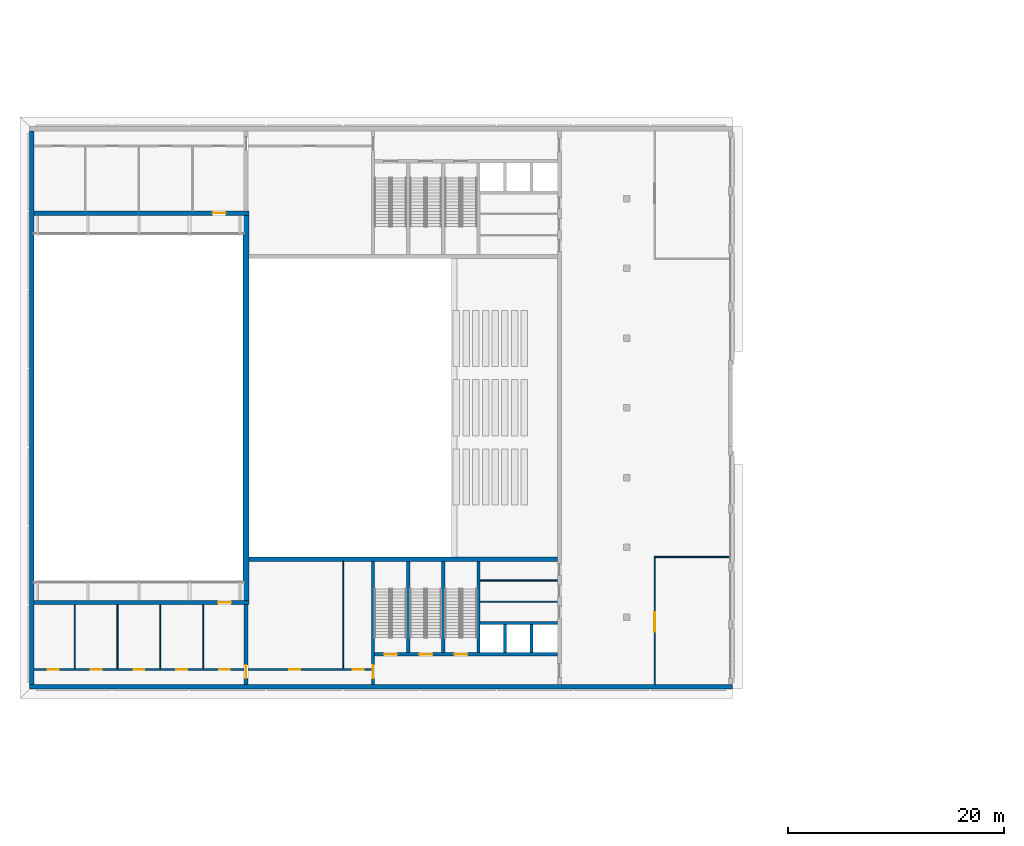
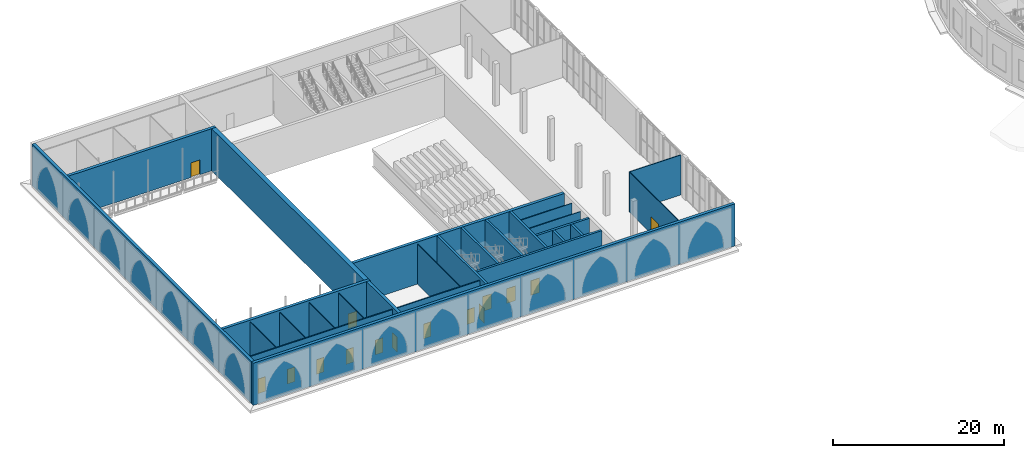
# One storey, part 17 of 74: 26 walls, 15 doors, 15 openings.
"""IFC4 building model written with IfcOpenShell, lengths in metres."""

from ifc_helpers import new_model, si_unit, direction, frame, frame_2d, origin, place, context, subcontext, project, spatial, rectangle, extrude, material, layer, layer_set, type_object, element, fill, save


model = new_model("IFC4")

# Units and contexts
model_context = context("Model", 3, precision=1e-05, world=origin(), true_north=direction((0.0, 1.0)))
body_context = subcontext(model_context, "Body", "Model", "MODEL_VIEW")
ifc_project = project(units=[si_unit("LENGTHUNIT", "METRE"), si_unit("AREAUNIT", "SQUARE_METRE"), si_unit("VOLUMEUNIT", "CUBIC_METRE"), si_unit("PLANEANGLEUNIT", "RADIAN"), si_unit("MASSUNIT", "GRAM", prefix="KILO")], contexts=[model_context])

# Site, building, storey
site_placement = place(None, origin())
site = spatial("IfcSite", under=ifc_project, at=site_placement, CompositionType="ELEMENT")
building_placement = place(site_placement, origin())
building = spatial("IfcBuilding", under=site, at=building_placement, Name="Noorbagh Ring Tower", CompositionType="ELEMENT")
storey_placement = place(building_placement, frame((0.0, 0.0, 7.5)))
storey = spatial("IfcBuildingStorey", under=building, at=storey_placement, Name="L01", CompositionType="ELEMENT", Elevation=7.5)

# Walls
ifc_material_1 = material(Name="Gypsum board on steel studs", Category="steel")
ifc_layer_1 = layer(ifc_material_1, 0.10009765625)
ifc_layer_set_1 = layer_set([ifc_layer_1], Name="Gypsum board on steel studs")
wall_type_1 = type_object("IfcWallType", Name="TH-PART-100", PredefinedType="PARTITIONING", material=ifc_layer_set_1)
for number, where, z_axis, x_axis, name in (
    (1, (-118.35009765625, -12.93310546875, 0.0), (0.0, 0.0, 1.0), (1.0, 0.0, 0.0), "L01/th-wall/048"),
    (2, (-118.35009765625, -10.967041015625, 0.0), (0.0, 0.0, 1.0), (1.0, 0.0, 0.0), "L01/th-wall/049"),
):
    element("IfcWall", number, at=place(storey_placement, frame(where, z_axis=z_axis, x_axis=x_axis)), inside=storey, type_object=wall_type_1, Name=name, PredefinedType="PARTITIONING", context=body_context, shape_type="SweptSolid", body=[
        extrude(rectangle(XDim=7.150146484375, YDim=0.10009765625, at=frame_2d((3.5751953125, 0.0))), origin(), (0.0, 0.0, 1.0), 5.699951171875),
    ])
wall_1_placement = place(storey_placement, frame((-102.25, -8.800048828125, 0.0), z_axis=(0.0, 0.0, 1.0), x_axis=(1.0, 0.0, 0.0)))
element("IfcWall", 3, at=wall_1_placement, inside=storey, type_object=wall_type_1, Name="L01/th-wall/050", PredefinedType="PARTITIONING", context=body_context, shape_type="SweptSolid", body=[
    extrude(rectangle(XDim=6.949951171875, YDim=0.10009765625, at=frame_2d((3.47509765625, 0.0))), origin(), (0.0, 0.0, 1.0), 5.699951171875),
])
for number, where, z_axis, x_axis, name in (
    (4, (-155.840087890625, -19.125, 0.0), (0.0, 0.0, 1.0), (0.0, 1.0, 0.0), "L01/th-wall/056"),
    (5, (-151.8798828125, -19.125, 0.0), (0.0, 0.0, 1.0), (0.0, 1.0, 0.0), "L01/th-wall/058"),
    (6, (-147.919921875, -19.125, 0.0), (0.0, 0.0, 1.0), (0.0, 1.0, 0.0), "L01/th-wall/060"),
    (7, (-143.9599609375, -19.125, 0.0), (0.0, 0.0, 1.0), (0.0, 1.0, 0.0), "L01/th-wall/062"),
):
    element("IfcWall", number, at=place(storey_placement, frame(where, z_axis=z_axis, x_axis=x_axis)), inside=storey, type_object=wall_type_1, Name=name, PredefinedType="PARTITIONING", context=body_context, shape_type="SweptSolid", body=[
        extrude(rectangle(XDim=5.925048828125, YDim=0.10009765625, at=frame_2d((2.96240234375, 0.0))), origin(), (0.0, 0.0, 1.0), 5.699951171875),
    ])
wall_2_placement = place(storey_placement, frame((-131.0, -19.125, 0.0), z_axis=(0.0, 0.0, 1.0), x_axis=(0.0, 1.0, 0.0)))
element("IfcWall", 8, at=wall_2_placement, inside=storey, type_object=wall_type_1, Name="L01/th-wall/063", PredefinedType="PARTITIONING", context=body_context, shape_type="SweptSolid", body=[
    extrude(rectangle(XDim=9.925048828125, YDim=0.10009765625, at=frame_2d((4.96240234375, 0.0))), origin(), (0.0, 0.0, 1.0), 5.699951171875),
])

# Wall, opening, door
wall_3_placement = place(storey_placement, frame((-102.199951171875, -20.60009765625, 0.0), z_axis=(0.0, 0.0, 1.0), x_axis=(0.0, 1.0, 0.0)))
wall_3 = element("IfcWall", 9, at=wall_3_placement, inside=storey, type_object=wall_type_1, Name="L01/th-wall/064", PredefinedType="PARTITIONING", context=body_context, shape_type="SweptSolid", body=[
    extrude(rectangle(XDim=11.75, YDim=0.10009765625, at=frame_2d((5.875, 0.0))), origin(), (0.0, 0.0, 1.0), 5.699951171875),
])
opening_1_placement = place(wall_3_placement, frame((4.89990234375, 0.0, 0.0)))
opening_1 = element("IfcOpeningElement", 10, at=opening_1_placement, cuts=wall_3, Name="Opening TL01-D25", PredefinedType="OPENING", context=body_context, shape_type="SweptSolid", body=[
    extrude(rectangle(XDim=1.800048828125, YDim=2.39990234375, at=frame_2d((0.89990234375, 1.199951171875))), frame((0.0, 0.06005859375, 0.0), z_axis=(0.0, -1.0, 0.0), x_axis=(1.0, 0.0, 0.0)), (0.0, 0.0, 1.0), 0.1201171875),
])
ifc_material_2 = material(Name="Timber", Category="wood")
door_type_1 = type_object("IfcDoorType", Name="TH-DOOR-DBL-1800", OperationType="DOUBLE_DOOR_SINGLE_SWING", PredefinedType="DOOR", material=ifc_material_2)
door_1_placement = place(opening_1_placement, origin())
door_1 = element("IfcDoor", 11, at=door_1_placement, inside=storey, type_object=door_type_1, Name="Door Circle foyer to Patrons lounge TL01-D25", OperationType="DOUBLE_DOOR_SINGLE_SWING", OverallHeight=2.39990234375, OverallWidth=1.800048828125, PredefinedType="DOOR", context=body_context, shape_type="SweptSolid", body=[
    extrude(rectangle(XDim=1.800048828125, YDim=2.39990234375, at=frame_2d((0.89990234375, 1.199951171875))), frame((0.0, 0.02490234375, 0.0), z_axis=(0.0, -1.0, 0.0), x_axis=(1.0, 0.0, 0.0)), (0.0, 0.0, 1.0), 0.050048828125),
])
fill(opening_1, door_1)

# Wall, openings, doors
ifc_material_3 = material(Name="Gypsum board on steel studs", Category="steel")
ifc_layer_2 = layer(ifc_material_3, 0.14990234375)
ifc_layer_set_2 = layer_set([ifc_layer_2], Name="Gypsum board on steel studs")
wall_type_2 = type_object("IfcWallType", Name="TH-PART-150", PredefinedType="PARTITIONING", material=ifc_layer_set_2)
wall_4_placement = place(storey_placement, frame((-159.60009765625, -19.199951171875, 0.0), z_axis=(0.0, 0.0, 1.0), x_axis=(1.0, 0.0, 0.0)))
wall_4 = element("IfcWall", 12, at=wall_4_placement, inside=storey, type_object=wall_type_2, Name="L01/th-wall/046", PredefinedType="PARTITIONING", context=body_context, shape_type="SweptSolid", body=[
    extrude(rectangle(XDim=19.400146484375, YDim=0.14990234375, at=frame_2d((9.7001953125, 0.0))), origin(), (0.0, 0.0, 1.0), 5.699951171875),
])
opening_2_placement = place(wall_4_placement, frame((1.280029296875, 0.0, 0.0)))
opening_2 = element("IfcOpeningElement", 13, at=opening_2_placement, cuts=wall_4, Name="Opening TL01-D01", PredefinedType="OPENING", context=body_context, shape_type="SweptSolid", body=[
    extrude(rectangle(XDim=1.0, YDim=2.10009765625, at=frame_2d((0.5, 1.050048828125))), frame((0.0, 0.0849609375, 0.0), z_axis=(0.0, -1.0, 0.0), x_axis=(1.0, 0.0, 0.0)), (0.0, 0.0, 1.0), 0.169921875),
])
opening_3_placement = place(wall_4_placement, frame((5.239990234375, 0.0, 0.0)))
opening_3 = element("IfcOpeningElement", 14, at=opening_3_placement, cuts=wall_4, Name="Opening TL01-D02", PredefinedType="OPENING", context=body_context, shape_type="SweptSolid", body=[
    extrude(rectangle(XDim=1.0, YDim=2.10009765625, at=frame_2d((0.5, 1.050048828125))), frame((0.0, 0.0849609375, 0.0), z_axis=(0.0, -1.0, 0.0), x_axis=(1.0, 0.0, 0.0)), (0.0, 0.0, 1.0), 0.169921875),
])
opening_4_placement = place(wall_4_placement, frame((9.199951171875, 0.0, 0.0)))
opening_4 = element("IfcOpeningElement", 15, at=opening_4_placement, cuts=wall_4, Name="Opening TL01-D03", PredefinedType="OPENING", context=body_context, shape_type="SweptSolid", body=[
    extrude(rectangle(XDim=1.0, YDim=2.10009765625, at=frame_2d((0.5, 1.050048828125))), frame((0.0, 0.0849609375, 0.0), z_axis=(0.0, -1.0, 0.0), x_axis=(1.0, 0.0, 0.0)), (0.0, 0.0, 1.0), 0.169921875),
])
opening_5_placement = place(wall_4_placement, frame((13.159912109375, 0.0, 0.0)))
opening_5 = element("IfcOpeningElement", 16, at=opening_5_placement, cuts=wall_4, Name="Opening TL01-D04", PredefinedType="OPENING", context=body_context, shape_type="SweptSolid", body=[
    extrude(rectangle(XDim=1.0, YDim=2.10009765625, at=frame_2d((0.5, 1.050048828125))), frame((0.0, 0.0849609375, 0.0), z_axis=(0.0, -1.0, 0.0), x_axis=(1.0, 0.0, 0.0)), (0.0, 0.0, 1.0), 0.169921875),
])
opening_6_placement = place(wall_4_placement, frame((17.1201171875, 0.0, 0.0)))
opening_6 = element("IfcOpeningElement", 17, at=opening_6_placement, cuts=wall_4, Name="Opening TL01-D05", PredefinedType="OPENING", context=body_context, shape_type="SweptSolid", body=[
    extrude(rectangle(XDim=1.0, YDim=2.10009765625, at=frame_2d((0.5, 1.050048828125))), frame((0.0, 0.0849609375, 0.0), z_axis=(0.0, -1.0, 0.0), x_axis=(1.0, 0.0, 0.0)), (0.0, 0.0, 1.0), 0.169921875),
])
ifc_material_4 = material(Name="Timber", Category="wood")
door_type_2 = type_object("IfcDoorType", Name="TH-DOOR-1000", OperationType="SINGLE_SWING_LEFT", PredefinedType="DOOR", material=ifc_material_4)
door_2_placement = place(opening_2_placement, origin())
door_2 = element("IfcDoor", 18, at=door_2_placement, inside=storey, type_object=door_type_2, Name="Door Corridor to Dressing room 5 TL01-D01", OperationType="SINGLE_SWING_RIGHT", OverallHeight=2.10009765625, OverallWidth=1.0, PredefinedType="DOOR", context=body_context, shape_type="SweptSolid", body=[
    extrude(rectangle(XDim=1.0, YDim=2.10009765625, at=frame_2d((0.5, 1.050048828125))), frame((0.0, 0.02490234375, 0.0), z_axis=(0.0, -1.0, 0.0), x_axis=(1.0, 0.0, 0.0)), (0.0, 0.0, 1.0), 0.050048828125),
])
fill(opening_2, door_2)
door_3_placement = place(opening_3_placement, origin())
door_3 = element("IfcDoor", 19, at=door_3_placement, inside=storey, type_object=door_type_2, Name="Door Corridor to Dressing room 6 TL01-D02", OperationType="SINGLE_SWING_RIGHT", OverallHeight=2.10009765625, OverallWidth=1.0, PredefinedType="DOOR", context=body_context, shape_type="SweptSolid", body=[
    extrude(rectangle(XDim=1.0, YDim=2.10009765625, at=frame_2d((0.5, 1.050048828125))), frame((0.0, 0.02490234375, 0.0), z_axis=(0.0, -1.0, 0.0), x_axis=(1.0, 0.0, 0.0)), (0.0, 0.0, 1.0), 0.050048828125),
])
fill(opening_3, door_3)
door_4_placement = place(opening_4_placement, origin())
door_4 = element("IfcDoor", 20, at=door_4_placement, inside=storey, type_object=door_type_2, Name="Door Corridor to Dressing room 7 TL01-D03", OperationType="SINGLE_SWING_RIGHT", OverallHeight=2.10009765625, OverallWidth=1.0, PredefinedType="DOOR", context=body_context, shape_type="SweptSolid", body=[
    extrude(rectangle(XDim=1.0, YDim=2.10009765625, at=frame_2d((0.5, 1.050048828125))), frame((0.0, 0.02490234375, 0.0), z_axis=(0.0, -1.0, 0.0), x_axis=(1.0, 0.0, 0.0)), (0.0, 0.0, 1.0), 0.050048828125),
])
fill(opening_4, door_4)
door_5_placement = place(opening_5_placement, origin())
door_5 = element("IfcDoor", 21, at=door_5_placement, inside=storey, type_object=door_type_2, Name="Door Corridor to Wardrobe workshop TL01-D04", OperationType="SINGLE_SWING_LEFT", OverallHeight=2.10009765625, OverallWidth=1.0, PredefinedType="DOOR", context=body_context, shape_type="SweptSolid", body=[
    extrude(rectangle(XDim=1.0, YDim=2.10009765625, at=frame_2d((0.5, 1.050048828125))), frame((0.0, 0.02490234375, 0.0), z_axis=(0.0, -1.0, 0.0), x_axis=(1.0, 0.0, 0.0)), (0.0, 0.0, 1.0), 0.050048828125),
])
fill(opening_5, door_5)
ifc_material_5 = material(Name="Steel", Category="steel")
door_type_3 = type_object("IfcDoorType", Name="TH-DOOR-FIRE-1000", OperationType="SINGLE_SWING_LEFT", PredefinedType="DOOR", material=ifc_material_5)
door_6_placement = place(opening_6_placement, origin())
door_6 = element("IfcDoor", 22, at=door_6_placement, inside=storey, type_object=door_type_3, Name="Door Corridor to Fly gallery lobby TL01-D05", OperationType="SINGLE_SWING_LEFT", OverallHeight=2.10009765625, OverallWidth=1.0, PredefinedType="DOOR", context=body_context, shape_type="SweptSolid", body=[
    extrude(rectangle(XDim=1.0, YDim=2.10009765625, at=frame_2d((0.5, 1.050048828125))), frame((0.0, 0.02490234375, 0.0), z_axis=(0.0, -1.0, 0.0), x_axis=(1.0, 0.0, 0.0)), (0.0, 0.0, 1.0), 0.050048828125),
])
fill(opening_6, door_6)

wall_5_placement = place(storey_placement, frame((-139.800048828125, -19.199951171875, 0.0), z_axis=(0.0, 0.0, 1.0), x_axis=(1.0, 0.0, 0.0)))
wall_5 = element("IfcWall", 23, at=wall_5_placement, inside=storey, type_object=wall_type_2, Name="L01/th-wall/047", PredefinedType="PARTITIONING", context=body_context, shape_type="SweptSolid", body=[
    extrude(rectangle(XDim=11.400146484375, YDim=0.14990234375, at=frame_2d((5.7001953125, 0.0))), origin(), (0.0, 0.0, 1.0), 5.699951171875),
])
opening_7_placement = place(wall_5_placement, frame((3.800048828125, 0.0, 0.0)))
opening_7 = element("IfcOpeningElement", 24, at=opening_7_placement, cuts=wall_5, Name="Opening TL01-D06", PredefinedType="OPENING", context=body_context, shape_type="SweptSolid", body=[
    extrude(rectangle(XDim=1.0, YDim=2.10009765625, at=frame_2d((0.5, 1.050048828125))), frame((0.0, 0.0849609375, 0.0), z_axis=(0.0, -1.0, 0.0), x_axis=(1.0, 0.0, 0.0)), (0.0, 0.0, 1.0), 0.169921875),
])
opening_8_placement = place(wall_5_placement, frame((9.675048828125, 0.0, 0.0)))
opening_8 = element("IfcOpeningElement", 25, at=opening_8_placement, cuts=wall_5, Name="Opening TL01-D07", PredefinedType="OPENING", context=body_context, shape_type="SweptSolid", body=[
    extrude(rectangle(XDim=1.0, YDim=2.10009765625, at=frame_2d((0.5, 1.050048828125))), frame((0.0, 0.0849609375, 0.0), z_axis=(0.0, -1.0, 0.0), x_axis=(1.0, 0.0, 0.0)), (0.0, 0.0, 1.0), 0.169921875),
])
door_7_placement = place(opening_7_placement, origin())
door_7 = element("IfcDoor", 26, at=door_7_placement, inside=storey, type_object=door_type_2, Name="Door Corridor to Chorus rehearsal room TL01-D06", OperationType="SINGLE_SWING_RIGHT", OverallHeight=2.10009765625, OverallWidth=1.0, PredefinedType="DOOR", context=body_context, shape_type="SweptSolid", body=[
    extrude(rectangle(XDim=1.0, YDim=2.10009765625, at=frame_2d((0.5, 1.050048828125))), frame((0.0, 0.02490234375, 0.0), z_axis=(0.0, -1.0, 0.0), x_axis=(1.0, 0.0, 0.0)), (0.0, 0.0, 1.0), 0.050048828125),
])
fill(opening_7, door_7)
door_8_placement = place(opening_8_placement, origin())
door_8 = element("IfcDoor", 27, at=door_8_placement, inside=storey, type_object=door_type_2, Name="Door Corridor to Musicians room TL01-D07", OperationType="SINGLE_SWING_LEFT", OverallHeight=2.10009765625, OverallWidth=1.0, PredefinedType="DOOR", context=body_context, shape_type="SweptSolid", body=[
    extrude(rectangle(XDim=1.0, YDim=2.10009765625, at=frame_2d((0.5, 1.050048828125))), frame((0.0, 0.02490234375, 0.0), z_axis=(0.0, -1.0, 0.0), x_axis=(1.0, 0.0, 0.0)), (0.0, 0.0, 1.0), 0.050048828125),
])
fill(opening_8, door_8)

# Wall, opening, door
ifc_material_6 = material(Name="Concrete C50/60", Category="concrete")
ifc_layer_3 = layer(ifc_material_6, 0.300048828125)
ifc_layer_set_3 = layer_set([ifc_layer_3], Name="Concrete C50/60")
wall_type_3 = type_object("IfcWallType", Name="TH-WALL-CORE", PredefinedType="SHEAR", material=ifc_layer_set_3)
wall_6_placement = place(storey_placement, frame((-128.25, -20.60009765625, 0.0), z_axis=(0.0, 0.0, 1.0), x_axis=(0.0, 1.0, 0.0)))
wall_6 = element("IfcWall", 28, at=wall_6_placement, inside=storey, type_object=wall_type_3, Name="Core wall", PredefinedType="SHEAR", context=body_context, shape_type="SweptSolid", body=[
    extrude(rectangle(XDim=11.400146484375, YDim=0.300048828125, at=frame_2d((5.7001953125, 0.0))), origin(), (0.0, 0.0, 1.0), 6.0),
])
opening_9_placement = place(wall_6_placement, frame((0.60009765625, 0.0, 0.0)))
opening_9 = element("IfcOpeningElement", 29, at=opening_9_placement, cuts=wall_6, Name="Opening TL01-D09", PredefinedType="OPENING", context=body_context, shape_type="SweptSolid", body=[
    extrude(rectangle(XDim=1.199951171875, YDim=2.10009765625, at=frame_2d((0.60009765625, 1.050048828125))), frame((0.0, 0.16015625, 0.0), z_axis=(0.0, -1.0, 0.0), x_axis=(1.0, 0.0, 0.0)), (0.0, 0.0, 1.0), 0.320068359375),
])
ifc_material_7 = material(Name="Steel", Category="steel")
door_type_4 = type_object("IfcDoorType", Name="TH-DOOR-FIRE-1200", OperationType="SINGLE_SWING_LEFT", PredefinedType="DOOR", material=ifc_material_7)
door_9_placement = place(opening_9_placement, origin())
door_9 = element("IfcDoor", 30, at=door_9_placement, inside=storey, type_object=door_type_4, Name="Door Corridor to Exit lobby TL01-D09", OperationType="SINGLE_SWING_LEFT", OverallHeight=2.10009765625, OverallWidth=1.199951171875, PredefinedType="DOOR", context=body_context, shape_type="SweptSolid", body=[
    extrude(rectangle(XDim=1.199951171875, YDim=2.10009765625, at=frame_2d((0.60009765625, 1.050048828125))), frame((0.0, 0.02490234375, 0.0), z_axis=(0.0, -1.0, 0.0), x_axis=(1.0, 0.0, 0.0)), (0.0, 0.0, 1.0), 0.050048828125),
])
fill(opening_9, door_9)

# Wall, openings, doors
wall_7_placement = place(storey_placement, frame((-128.10009765625, -17.800048828125, 0.0), z_axis=(0.0, 0.0, 1.0), x_axis=(1.0, 0.0, 0.0)))
wall_7 = element("IfcWall", 31, at=wall_7_placement, inside=storey, type_object=wall_type_3, Name="Exit lobby wall", PredefinedType="SHEAR", context=body_context, shape_type="SweptSolid", body=[
    extrude(rectangle(XDim=16.900146484375, YDim=0.300048828125, at=frame_2d((8.4501953125, 0.0))), origin(), (0.0, 0.0, 1.0), 6.0),
])
opening_10_placement = place(wall_7_placement, frame((4.125, 0.0, 0.0)))
opening_10 = element("IfcOpeningElement", 32, at=opening_10_placement, cuts=wall_7, Name="Opening TL01-D10", PredefinedType="OPENING", context=body_context, shape_type="SweptSolid", body=[
    extrude(rectangle(XDim=1.199951171875, YDim=2.10009765625, at=frame_2d((0.60009765625, 1.050048828125))), frame((0.0, 0.16015625, 0.0), z_axis=(0.0, -1.0, 0.0), x_axis=(1.0, 0.0, 0.0)), (0.0, 0.0, 1.0), 0.320068359375),
])
opening_11_placement = place(wall_7_placement, frame((7.375, 0.0, 0.0)))
opening_11 = element("IfcOpeningElement", 33, at=opening_11_placement, cuts=wall_7, Name="Opening TL01-D11", PredefinedType="OPENING", context=body_context, shape_type="SweptSolid", body=[
    extrude(rectangle(XDim=1.199951171875, YDim=2.10009765625, at=frame_2d((0.60009765625, 1.050048828125))), frame((0.0, 0.16015625, 0.0), z_axis=(0.0, -1.0, 0.0), x_axis=(1.0, 0.0, 0.0)), (0.0, 0.0, 1.0), 0.320068359375),
])
opening_12_placement = place(wall_7_placement, frame((0.875, 0.0, 0.0)))
opening_12 = element("IfcOpeningElement", 34, at=opening_12_placement, cuts=wall_7, Name="Opening TL01-D12", PredefinedType="OPENING", context=body_context, shape_type="SweptSolid", body=[
    extrude(rectangle(XDim=1.199951171875, YDim=2.10009765625, at=frame_2d((0.60009765625, 1.050048828125))), frame((0.0, 0.16015625, 0.0), z_axis=(0.0, -1.0, 0.0), x_axis=(1.0, 0.0, 0.0)), (0.0, 0.0, 1.0), 0.320068359375),
])
ifc_material_8 = material(Name="Steel", Category="steel")
door_type_5 = type_object("IfcDoorType", Name="TH-DOOR-STAIR-1200", OperationType="SINGLE_SWING_LEFT", PredefinedType="DOOR", material=ifc_material_8)
door_10_placement = place(opening_10_placement, origin())
door_10 = element("IfcDoor", 35, at=door_10_placement, inside=storey, type_object=door_type_5, Name="Door Exit lobby to Exit stair S1 TL01-D10", OperationType="SINGLE_SWING_RIGHT", OverallHeight=2.10009765625, OverallWidth=1.199951171875, PredefinedType="DOOR", context=body_context, shape_type="SweptSolid", body=[
    extrude(rectangle(XDim=1.199951171875, YDim=2.10009765625, at=frame_2d((0.60009765625, 1.050048828125))), frame((0.0, 0.02490234375, 0.0), z_axis=(0.0, -1.0, 0.0), x_axis=(1.0, 0.0, 0.0)), (0.0, 0.0, 1.0), 0.050048828125),
])
fill(opening_10, door_10)
door_11_placement = place(opening_11_placement, origin())
door_11 = element("IfcDoor", 36, at=door_11_placement, inside=storey, type_object=door_type_5, Name="Door Exit lobby to Exit stair S2 TL01-D11", OperationType="SINGLE_SWING_RIGHT", OverallHeight=2.10009765625, OverallWidth=1.199951171875, PredefinedType="DOOR", context=body_context, shape_type="SweptSolid", body=[
    extrude(rectangle(XDim=1.199951171875, YDim=2.10009765625, at=frame_2d((0.60009765625, 1.050048828125))), frame((0.0, 0.02490234375, 0.0), z_axis=(0.0, -1.0, 0.0), x_axis=(1.0, 0.0, 0.0)), (0.0, 0.0, 1.0), 0.050048828125),
])
fill(opening_11, door_11)
door_12_placement = place(opening_12_placement, origin())
door_12 = element("IfcDoor", 37, at=door_12_placement, inside=storey, type_object=door_type_5, Name="Door Exit lobby to Exit stair S3 TL01-D12", OperationType="SINGLE_SWING_RIGHT", OverallHeight=2.10009765625, OverallWidth=1.199951171875, PredefinedType="DOOR", context=body_context, shape_type="SweptSolid", body=[
    extrude(rectangle(XDim=1.199951171875, YDim=2.10009765625, at=frame_2d((0.60009765625, 1.050048828125))), frame((0.0, 0.02490234375, 0.0), z_axis=(0.0, -1.0, 0.0), x_axis=(1.0, 0.0, 0.0)), (0.0, 0.0, 1.0), 0.050048828125),
])
fill(opening_12, door_12)

# Walls
for number, where, z_axis, x_axis, name in (
    (38, (-125.0, -17.64990234375, 0.0), (0.0, 0.0, 1.0), (0.0, 1.0, 0.0), "Stair wall"),
    (39, (-121.75, -17.64990234375, 0.0), (0.0, 0.0, 1.0), (0.0, 1.0, 0.0), "Stair wall"),
    (40, (-118.5, -17.64990234375, 0.0), (0.0, 0.0, 1.0), (0.0, 1.0, 0.0), "Stair wall"),
):
    element("IfcWall", number, at=place(storey_placement, frame(where, z_axis=z_axis, x_axis=x_axis)), inside=storey, type_object=wall_type_3, Name=name, PredefinedType="SHEAR", context=body_context, shape_type="SweptSolid", body=[
        extrude(rectangle(XDim=8.449951171875, YDim=0.300048828125, at=frame_2d((4.22509765625, 0.0))), origin(), (0.0, 0.0, 1.0), 6.0),
    ])
wall_8_placement = place(storey_placement, frame((-118.35009765625, -14.89990234375, 0.0), z_axis=(0.0, 0.0, 1.0), x_axis=(1.0, 0.0, 0.0)))
element("IfcWall", 41, at=wall_8_placement, inside=storey, type_object=wall_type_3, Name="Lift shaft wall", PredefinedType="SHEAR", context=body_context, shape_type="SweptSolid", body=[
    extrude(rectangle(XDim=7.150146484375, YDim=0.300048828125, at=frame_2d((3.5751953125, 0.0))), origin(), (0.0, 0.0, 1.0), 6.0),
])
for number, where, z_axis, x_axis, name in (
    (42, (-116.050048828125, -17.64990234375, 0.0), (0.0, 0.0, 1.0), (0.0, 1.0, 0.0), "Lift shaft wall"),
    (43, (-113.60009765625, -17.64990234375, 0.0), (0.0, 0.0, 1.0), (0.0, 1.0, 0.0), "Lift shaft wall"),
):
    element("IfcWall", number, at=place(storey_placement, frame(where, z_axis=z_axis, x_axis=x_axis)), inside=storey, type_object=wall_type_3, Name=name, PredefinedType="SHEAR", context=body_context, shape_type="SweptSolid", body=[
        extrude(rectangle(XDim=2.599853515625, YDim=0.300048828125, at=frame_2d((1.2998046875, 0.0))), origin(), (0.0, 0.0, 1.0), 6.0),
    ])
ifc_material_9 = material(Name="Concrete C50/60", Category="concrete")
ifc_layer_4 = layer(ifc_material_9, 0.39990234375)
ifc_layer_set_4 = layer_set([ifc_layer_4], Name="Concrete C50/60")
wall_type_4 = type_object("IfcWallType", Name="TH-WALL-HALL", PredefinedType="SOLIDWALL", material=ifc_layer_set_4)
wall_9_placement = place(storey_placement, frame((-139.699951171875, -9.0, 0.0), z_axis=(0.0, 0.0, 1.0), x_axis=(1.0, 0.0, 0.0)))
element("IfcWall", 44, at=wall_9_placement, inside=storey, type_object=wall_type_4, Name="Auditorium wall south", PredefinedType="SOLIDWALL", context=body_context, shape_type="SweptSolid", body=[
    extrude(rectangle(XDim=28.5, YDim=0.39990234375, at=frame_2d((14.25, 0.0))), origin(), (0.0, 0.0, 1.0), 6.0),
])

# Wall, opening, door
ifc_material_10 = material(Name="Concrete C40/50", Category="concrete")
ifc_layer_5 = layer(ifc_material_10, 0.39990234375)
ifc_layer_set_5 = layer_set([ifc_layer_5], Name="Concrete C40/50")
wall_type_5 = type_object("IfcWallType", Name="TH-WALL-INNER", PredefinedType="SOLIDWALL", material=ifc_layer_set_5)
wall_10_placement = place(storey_placement, frame((-140.0, -20.60009765625, 0.0), z_axis=(0.0, 0.0, 1.0), x_axis=(0.0, 1.0, 0.0)))
wall_10 = element("IfcWall", 45, at=wall_10_placement, inside=storey, type_object=wall_type_5, Name="Stage block wall", PredefinedType="SOLIDWALL", context=body_context, shape_type="SweptSolid", body=[
    extrude(rectangle(XDim=7.400146484375, YDim=0.39990234375, at=frame_2d((3.7001953125, 0.0))), origin(), (0.0, 0.0, 1.0), 6.0),
])
opening_13_placement = place(wall_10_placement, frame((0.60009765625, 0.0, 0.0)))
opening_13 = element("IfcOpeningElement", 46, at=opening_13_placement, cuts=wall_10, Name="Opening TL01-D08", PredefinedType="OPENING", context=body_context, shape_type="SweptSolid", body=[
    extrude(rectangle(XDim=1.199951171875, YDim=2.10009765625, at=frame_2d((0.60009765625, 1.050048828125))), frame((0.0, 0.2099609375, 0.0), z_axis=(0.0, -1.0, 0.0), x_axis=(1.0, 0.0, 0.0)), (0.0, 0.0, 1.0), 0.419921875),
])
ifc_material_11 = material(Name="Timber", Category="wood")
door_type_6 = type_object("IfcDoorType", Name="TH-DOOR-1200", OperationType="SINGLE_SWING_LEFT", PredefinedType="DOOR", material=ifc_material_11)
door_13_placement = place(opening_13_placement, origin())
door_13 = element("IfcDoor", 47, at=door_13_placement, inside=storey, type_object=door_type_6, Name="Door Corridor to Corridor TL01-D08", OperationType="SINGLE_SWING_LEFT", OverallHeight=2.10009765625, OverallWidth=1.199951171875, PredefinedType="DOOR", context=body_context, shape_type="SweptSolid", body=[
    extrude(rectangle(XDim=1.199951171875, YDim=2.10009765625, at=frame_2d((0.60009765625, 1.050048828125))), frame((0.0, 0.02490234375, 0.0), z_axis=(0.0, -1.0, 0.0), x_axis=(1.0, 0.0, 0.0)), (0.0, 0.0, 1.0), 0.050048828125),
])
fill(opening_13, door_13)

wall_11_placement = place(storey_placement, frame((-159.60009765625, -13.0, 0.0), z_axis=(0.0, 0.0, 1.0), x_axis=(1.0, 0.0, 0.0)))
wall_11 = element("IfcWall", 48, at=wall_11_placement, inside=storey, type_object=wall_type_5, Name="Stage house wall south", PredefinedType="SOLIDWALL", context=body_context, shape_type="SweptSolid", body=[
    extrude(rectangle(XDim=19.900146484375, YDim=0.39990234375, at=frame_2d((9.9501953125, 0.0))), origin(), (0.0, 0.0, 1.0), 6.0),
])
opening_14_placement = place(wall_11_placement, frame((17.02001953125, 0.0, 0.0)))
opening_14 = element("IfcOpeningElement", 49, at=opening_14_placement, cuts=wall_11, Name="Opening TL01-D23", PredefinedType="OPENING", context=body_context, shape_type="SweptSolid", body=[
    extrude(rectangle(XDim=1.199951171875, YDim=2.10009765625, at=frame_2d((0.60009765625, 1.050048828125))), frame((0.0, 0.2099609375, 0.0), z_axis=(0.0, -1.0, 0.0), x_axis=(1.0, 0.0, 0.0)), (0.0, 0.0, 1.0), 0.419921875),
])
door_14_placement = place(opening_14_placement, origin())
door_14 = element("IfcDoor", 50, at=door_14_placement, inside=storey, type_object=door_type_4, Name="Door Fly gallery lobby to Stage house TL01-D23", OperationType="SINGLE_SWING_LEFT", OverallHeight=2.10009765625, OverallWidth=1.199951171875, PredefinedType="DOOR", context=body_context, shape_type="SweptSolid", body=[
    extrude(rectangle(XDim=1.199951171875, YDim=2.10009765625, at=frame_2d((0.60009765625, 1.050048828125))), frame((0.0, 0.02490234375, 0.0), z_axis=(0.0, -1.0, 0.0), x_axis=(1.0, 0.0, 0.0)), (0.0, 0.0, 1.0), 0.050048828125),
])
fill(opening_14, door_14)

wall_12_placement = place(storey_placement, frame((-159.60009765625, 23.0, 0.0), z_axis=(0.0, 0.0, 1.0), x_axis=(1.0, 0.0, 0.0)))
wall_12 = element("IfcWall", 51, at=wall_12_placement, inside=storey, type_object=wall_type_5, Name="Stage house wall north", PredefinedType="SOLIDWALL", context=body_context, shape_type="SweptSolid", body=[
    extrude(rectangle(XDim=19.900146484375, YDim=0.39990234375, at=frame_2d((9.9501953125, 0.0))), origin(), (0.0, 0.0, 1.0), 6.0),
])
opening_15_placement = place(wall_12_placement, frame((16.52490234375, 0.0, 0.0)))
opening_15 = element("IfcOpeningElement", 52, at=opening_15_placement, cuts=wall_12, Name="Opening TL01-D24", PredefinedType="OPENING", context=body_context, shape_type="SweptSolid", body=[
    extrude(rectangle(XDim=1.199951171875, YDim=2.10009765625, at=frame_2d((0.60009765625, 1.050048828125))), frame((0.0, 0.2099609375, 0.0), z_axis=(0.0, -1.0, 0.0), x_axis=(1.0, 0.0, 0.0)), (0.0, 0.0, 1.0), 0.419921875),
])
door_15_placement = place(opening_15_placement, origin())
door_15 = element("IfcDoor", 53, at=door_15_placement, inside=storey, type_object=door_type_4, Name="Door Fly gallery lobby north to Stage house TL01-D24", OperationType="SINGLE_SWING_RIGHT", OverallHeight=2.10009765625, OverallWidth=1.199951171875, PredefinedType="DOOR", context=body_context, shape_type="SweptSolid", body=[
    extrude(rectangle(XDim=1.199951171875, YDim=2.10009765625, at=frame_2d((0.60009765625, 1.050048828125))), frame((0.0, 0.02490234375, 0.0), z_axis=(0.0, -1.0, 0.0), x_axis=(1.0, 0.0, 0.0)), (0.0, 0.0, 1.0), 0.050048828125),
])
fill(opening_15, door_15)

# Walls
ifc_material_12 = material(Name="Concrete C40/50", Category="concrete")
ifc_layer_6 = layer(ifc_material_12, 0.39990234375)
ifc_layer_set_6 = layer_set([ifc_layer_6], Name="Concrete C40/50")
wall_type_6 = type_object("IfcWallType", Name="TH-WALL-OUTER", PredefinedType="SOLIDWALL", material=ifc_layer_set_6)
wall_13_placement = place(storey_placement, frame((-160.0, -20.800048828125, 0.0), z_axis=(0.0, 0.0, 1.0), x_axis=(1.0, 0.0, 0.0)))
element("IfcWall", 54, at=wall_13_placement, inside=storey, type_object=wall_type_6, Name="Outer wall south", PredefinedType="SOLIDWALL", context=body_context, shape_type="SweptSolid", body=[
    extrude(rectangle(XDim=65.0, YDim=0.39990234375, at=frame_2d((32.5, 0.0))), origin(), (0.0, 0.0, 1.0), 6.0),
])
wall_14_placement = place(storey_placement, frame((-159.800048828125, -20.60009765625, 0.0), z_axis=(0.0, 0.0, 1.0), x_axis=(0.0, 1.0, 0.0)))
element("IfcWall", 55, at=wall_14_placement, inside=storey, type_object=wall_type_6, Name="Outer wall west", PredefinedType="SOLIDWALL", context=body_context, shape_type="SweptSolid", body=[
    extrude(rectangle(XDim=51.2001953125, YDim=0.39990234375, at=frame_2d((25.60009765625, 0.0))), origin(), (0.0, 0.0, 1.0), 6.0),
])
ifc_material_13 = material(Name="Concrete C50/60", Category="concrete")
ifc_layer_7 = layer(ifc_material_13, 0.60009765625)
ifc_layer_set_7 = layer_set([ifc_layer_7], Name="Concrete C50/60")
wall_type_7 = type_object("IfcWallType", Name="TH-WALL-PROSC", PredefinedType="SOLIDWALL", material=ifc_layer_set_7)
wall_15_placement = place(storey_placement, frame((-140.0, -12.800048828125, 0.0), z_axis=(0.0, 0.0, 1.0), x_axis=(0.0, 1.0, 0.0)))
element("IfcWall", 56, at=wall_15_placement, inside=storey, type_object=wall_type_7, Name="Proscenium wall", PredefinedType="SOLIDWALL", context=body_context, shape_type="SweptSolid", body=[
    extrude(rectangle(XDim=35.60009765625, YDim=0.60009765625, at=frame_2d((17.800048828125, 0.0))), origin(), (0.0, 0.0, 1.0), 6.0),
])

save(model, "model.ifc")
